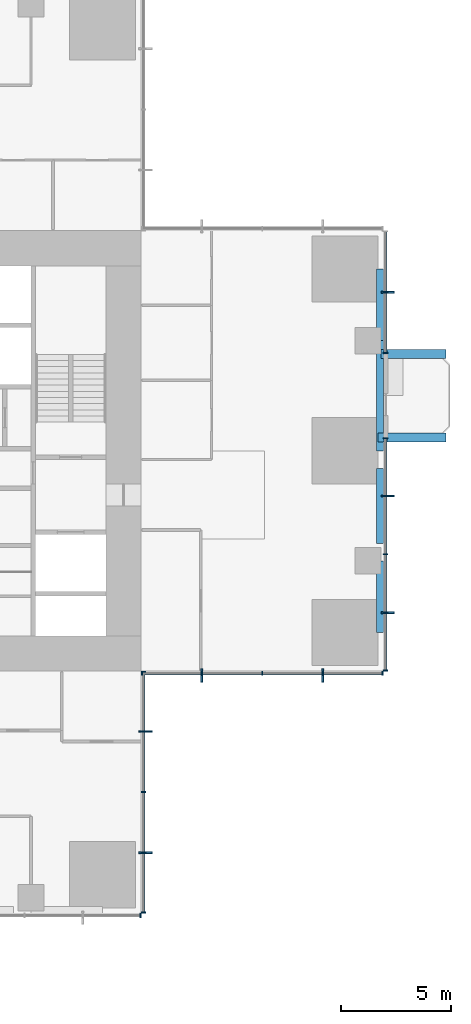
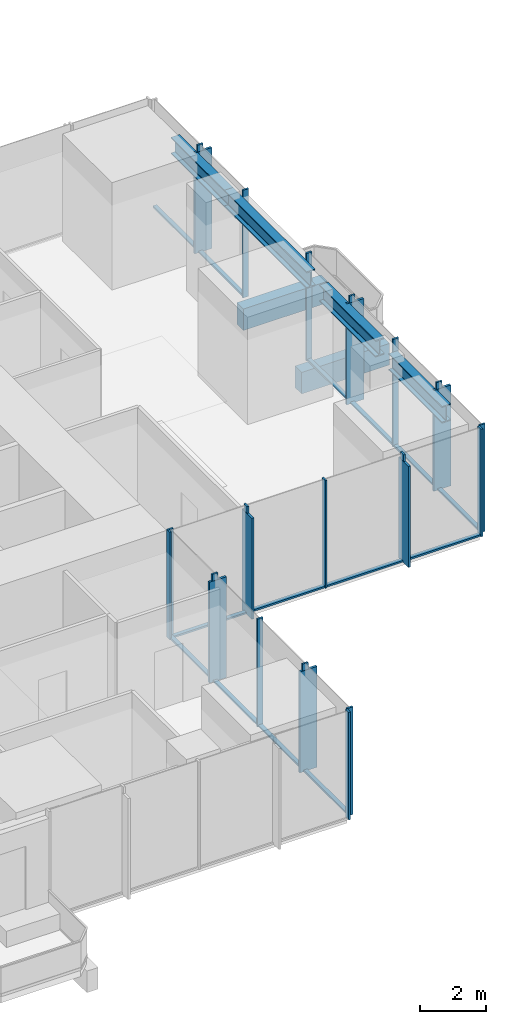
# One storey, part 4 of 13: 39 members, 6 beams, 5 elements without a shape of their own.
"""IFC4 building model written with IfcOpenShell, lengths in metres."""

from ifc_helpers import new_model, si_unit, direction, frame, origin, origin_2d, place, context, subcontext, project, spatial, rectangle, i_section, extrude, material, material_profile, profile_set, type_object, element, aggregate, save


model = new_model("IFC4")

# Units and contexts
model_context = context("Model", 3, precision=1e-05, world=origin(), true_north=direction((0.0, 1.0)))
body_context = subcontext(model_context, "Body", "Model", "MODEL_VIEW")
ifc_project = project(units=[si_unit("LENGTHUNIT", "METRE"), si_unit("AREAUNIT", "SQUARE_METRE"), si_unit("VOLUMEUNIT", "CUBIC_METRE"), si_unit("PLANEANGLEUNIT", "RADIAN"), si_unit("MASSUNIT", "GRAM", prefix="KILO")], contexts=[model_context])

# Site, building, storey
site_placement = place(None, origin())
site = spatial("IfcSite", under=ifc_project, at=site_placement, CompositionType="ELEMENT")
building_placement = place(site_placement, origin())
building = spatial("IfcBuilding", under=site, at=building_placement, Name="Svetlomir Tower", CompositionType="ELEMENT")
storey_placement = place(building_placement, frame((0.0, 0.0, 124.5)))
storey = spatial("IfcBuildingStorey", under=building, at=storey_placement, Name="L29", CompositionType="ELEMENT", Elevation=124.5)

# Beams
ifc_material_1 = material(Name="Concrete C60/75", Category="concrete")
ifc_material_profile_1 = material_profile(ifc_material_1, rectangle(XDim=0.39990234375, YDim=0.800048828125, at=origin_2d()), Name="RC 400x800")
ifc_profile_set_1 = profile_set([ifc_material_profile_1], Name="Concrete C60/75")
beam_type_1 = type_object("IfcBeamType", Name="BALCONY RIB RC 400x800", PredefinedType="BEAM", material=ifc_profile_set_1)
beam_1_placement = place(storey_placement, frame((41.75, 21.60009765625, -0.64990234375), z_axis=(1.0, 0.0, 0.0), x_axis=(0.0, 1.0, 0.0)))
element("IfcBeam", 1, at=beam_1_placement, inside=storey, type_object=beam_type_1, Name="Balcony rib E 1 L29", PredefinedType="BEAM", context=body_context, shape_type="SweptSolid", body=[
    extrude(rectangle(XDim=0.39990234375, YDim=0.800048828125, at=origin_2d()), origin(), (0.0, 0.0, 1.0), 3.10009765625),
])
beam_2_placement = place(storey_placement, frame((41.89990234375, 25.39990234375, -0.64990234375), z_axis=(1.0, 0.0, 0.0), x_axis=(0.0, 1.0, 0.0)))
element("IfcBeam", 2, at=beam_2_placement, inside=storey, type_object=beam_type_1, Name="Balcony rib E 2 L29", PredefinedType="BEAM", context=body_context, shape_type="SweptSolid", body=[
    extrude(rectangle(XDim=0.39990234375, YDim=0.800048828125, at=origin_2d()), origin(), (0.0, 0.0, 1.0), 2.9501953125),
])

# Curtain wall, members
ifc_material_2 = material(Name="Bronze anodised aluminium curtain wall", Category="aluminium")
curtain_wall_type = type_object("IfcCurtainWallType", Name="CURTAIN WALL CW1 TOWER OFFICE", PredefinedType="NOTDEFINED", material=ifc_material_2)
curtain_wall_1_placement = place(storey_placement, origin())
curtain_wall_1 = element("IfcCurtainWall", 3, at=curtain_wall_1_placement, inside=storey, type_object=curtain_wall_type, Name="Curtain wall CW1 L29", PredefinedType="NOTDEFINED")
ifc_material_3 = material(Name="Bronze anodised aluminium", Category="aluminium")
ifc_material_profile_2 = material_profile(ifc_material_3, rectangle(XDim=0.080078125, YDim=0.60009765625, at=origin_2d()), Name="FIN 80x600")
ifc_profile_set_2 = profile_set([ifc_material_profile_2], Name="Bronze anodised aluminium 6063-T6")
member_type_1 = type_object("IfcMemberType", Name="BRONZE FIN 80x600", PredefinedType="USERDEFINED", material=ifc_profile_set_2)
member_1_placement = place(storey_placement, frame((31.199951171875, 2.75, 0.0), z_axis=(0.0, 0.0, 1.0), x_axis=(0.0, 1.0, 0.0)))
member_1 = element("IfcMember", 4, at=member_1_placement, type_object=member_type_1, Name="Bronze fin L29", ObjectType="FIN", PredefinedType="USERDEFINED", context=body_context, shape_type="SweptSolid", body=[
    extrude(rectangle(XDim=0.080078125, YDim=0.60009765625, at=origin_2d()), origin(), (0.0, 0.0, 1.0), 3.75),
])
member_2_placement = place(storey_placement, frame((31.199951171875, 8.25, 0.0), z_axis=(0.0, 0.0, 1.0), x_axis=(0.0, 1.0, 0.0)))
member_2 = element("IfcMember", 5, at=member_2_placement, type_object=member_type_1, Name="Bronze fin L29", ObjectType="FIN", PredefinedType="USERDEFINED", context=body_context, shape_type="SweptSolid", body=[
    extrude(rectangle(XDim=0.080078125, YDim=0.60009765625, at=origin_2d()), origin(), (0.0, 0.0, 1.0), 3.75),
])

curtain_wall_2_placement = place(storey_placement, origin())
curtain_wall_2 = element("IfcCurtainWall", 6, at=curtain_wall_2_placement, inside=storey, type_object=curtain_wall_type, Name="Curtain wall CW1 L29", PredefinedType="NOTDEFINED")
member_3_placement = place(storey_placement, frame((33.75, 10.800048828125, 0.0), z_axis=(0.0, 0.0, 1.0), x_axis=(1.0, 0.0, 0.0)))
member_3 = element("IfcMember", 7, at=member_3_placement, type_object=member_type_1, Name="Bronze fin L29", ObjectType="FIN", PredefinedType="USERDEFINED", context=body_context, shape_type="SweptSolid", body=[
    extrude(rectangle(XDim=0.080078125, YDim=0.60009765625, at=origin_2d()), origin(), (0.0, 0.0, 1.0), 3.75),
])
member_4_placement = place(storey_placement, frame((39.25, 10.800048828125, 0.0), z_axis=(0.0, 0.0, 1.0), x_axis=(1.0, 0.0, 0.0)))
member_4 = element("IfcMember", 8, at=member_4_placement, type_object=member_type_1, Name="Bronze fin L29", ObjectType="FIN", PredefinedType="USERDEFINED", context=body_context, shape_type="SweptSolid", body=[
    extrude(rectangle(XDim=0.080078125, YDim=0.60009765625, at=origin_2d()), origin(), (0.0, 0.0, 1.0), 3.75),
])

curtain_wall_3_placement = place(storey_placement, origin())
curtain_wall_3 = element("IfcCurtainWall", 9, at=curtain_wall_3_placement, inside=storey, type_object=curtain_wall_type, Name="Curtain wall CW1 L29", PredefinedType="NOTDEFINED")
member_5_placement = place(storey_placement, frame((42.199951171875, 13.64990234375, 0.0), z_axis=(0.0, 0.0, 1.0), x_axis=(0.0, 1.0, 0.0)))
member_5 = element("IfcMember", 10, at=member_5_placement, type_object=member_type_1, Name="Bronze fin L29", ObjectType="FIN", PredefinedType="USERDEFINED", context=body_context, shape_type="SweptSolid", body=[
    extrude(rectangle(XDim=0.080078125, YDim=0.60009765625, at=origin_2d()), origin(), (0.0, 0.0, 1.0), 3.75),
])
member_6_placement = place(storey_placement, frame((42.199951171875, 18.949951171875, 0.0), z_axis=(0.0, 0.0, 1.0), x_axis=(0.0, 1.0, 0.0)))
member_6 = element("IfcMember", 11, at=member_6_placement, type_object=member_type_1, Name="Bronze fin L29", ObjectType="FIN", PredefinedType="USERDEFINED", context=body_context, shape_type="SweptSolid", body=[
    extrude(rectangle(XDim=0.080078125, YDim=0.60009765625, at=origin_2d()), origin(), (0.0, 0.0, 1.0), 3.75),
])

# Curtain wall, member
curtain_wall_4_placement = place(storey_placement, origin())
curtain_wall_4 = element("IfcCurtainWall", 12, at=curtain_wall_4_placement, inside=storey, type_object=curtain_wall_type, Name="Curtain wall CW1 L29", PredefinedType="NOTDEFINED")
member_7_placement = place(storey_placement, frame((42.199951171875, 28.199951171875, 0.0), z_axis=(0.0, 0.0, 1.0), x_axis=(0.0, 1.0, 0.0)))
member_7 = element("IfcMember", 13, at=member_7_placement, type_object=member_type_1, Name="Bronze fin L29", ObjectType="FIN", PredefinedType="USERDEFINED", context=body_context, shape_type="SweptSolid", body=[
    extrude(rectangle(XDim=0.080078125, YDim=0.60009765625, at=origin_2d()), origin(), (0.0, 0.0, 1.0), 3.75),
])

curtain_wall_5_placement = place(storey_placement, origin())
curtain_wall_5 = element("IfcCurtainWall", 14, at=curtain_wall_5_placement, inside=storey, type_object=curtain_wall_type, Name="Curtain wall CW1 L29", PredefinedType="NOTDEFINED")
ifc_material_4 = material(Name="Bronze anodised aluminium", Category="aluminium")
ifc_material_profile_3 = material_profile(ifc_material_4, rectangle(XDim=0.06494140625, YDim=0.199951171875, at=origin_2d()), Name="AL 65x200")
ifc_profile_set_3 = profile_set([ifc_material_profile_3], Name="Bronze anodised aluminium 6063-T6")
member_type_2 = type_object("IfcMemberType", Name="CW1 MULLION 65x200", PredefinedType="MULLION", material=ifc_profile_set_3)
member_8_placement = place(storey_placement, frame((30.967529296875, -0.10009765625, 0.0), z_axis=(0.0, 0.0, 1.0), x_axis=(1.0, 0.0, 0.0)))
member_8 = element("IfcMember", 15, at=member_8_placement, type_object=member_type_2, Name="CW1 mullion 5", PredefinedType="MULLION", context=body_context, shape_type="SweptSolid", body=[
    extrude(rectangle(XDim=0.06494140625, YDim=0.199951171875, at=origin_2d()), origin(), (0.0, 0.0, 1.0), 4.0),
])
aggregate(curtain_wall_5, [member_8])

# Member
member_9_placement = place(storey_placement, frame((31.10009765625, 0.032470703125, 0.0), z_axis=(0.0, 0.0, 1.0), x_axis=(0.0, 1.0, 0.0)))
member_9 = element("IfcMember", 16, at=member_9_placement, type_object=member_type_2, Name="CW1 mullion 1", PredefinedType="MULLION", context=body_context, shape_type="SweptSolid", body=[
    extrude(rectangle(XDim=0.06494140625, YDim=0.199951171875, at=origin_2d()), origin(), (0.0, 0.0, 1.0), 4.0),
])

member_10_placement = place(storey_placement, frame((31.10009765625, 2.75, 0.0), z_axis=(0.0, 0.0, 1.0), x_axis=(0.0, 1.0, 0.0)))
member_10 = element("IfcMember", 17, at=member_10_placement, type_object=member_type_2, Name="CW1 mullion 2", PredefinedType="MULLION", context=body_context, shape_type="SweptSolid", body=[
    extrude(rectangle(XDim=0.06494140625, YDim=0.199951171875, at=origin_2d()), origin(), (0.0, 0.0, 1.0), 4.0),
])

member_11_placement = place(storey_placement, frame((31.10009765625, 5.5, 0.0), z_axis=(0.0, 0.0, 1.0), x_axis=(0.0, 1.0, 0.0)))
member_11 = element("IfcMember", 18, at=member_11_placement, type_object=member_type_2, Name="CW1 mullion 3", PredefinedType="MULLION", context=body_context, shape_type="SweptSolid", body=[
    extrude(rectangle(XDim=0.06494140625, YDim=0.199951171875, at=origin_2d()), origin(), (0.0, 0.0, 1.0), 4.0),
])

member_12_placement = place(storey_placement, frame((31.10009765625, 8.25, 0.0), z_axis=(0.0, 0.0, 1.0), x_axis=(0.0, 1.0, 0.0)))
member_12 = element("IfcMember", 19, at=member_12_placement, type_object=member_type_2, Name="CW1 mullion 4", PredefinedType="MULLION", context=body_context, shape_type="SweptSolid", body=[
    extrude(rectangle(XDim=0.06494140625, YDim=0.199951171875, at=origin_2d()), origin(), (0.0, 0.0, 1.0), 4.0),
])

member_13_placement = place(storey_placement, frame((31.10009765625, 10.967529296875, 0.0), z_axis=(0.0, 0.0, 1.0), x_axis=(0.0, 1.0, 0.0)))
member_13 = element("IfcMember", 20, at=member_13_placement, type_object=member_type_2, Name="CW1 mullion 5", PredefinedType="MULLION", context=body_context, shape_type="SweptSolid", body=[
    extrude(rectangle(XDim=0.06494140625, YDim=0.199951171875, at=origin_2d()), origin(), (0.0, 0.0, 1.0), 4.0),
])

member_14_placement = place(storey_placement, frame((31.032470703125, 10.89990234375, 0.0), z_axis=(0.0, 0.0, 1.0), x_axis=(1.0, 0.0, 0.0)))
member_14 = element("IfcMember", 21, at=member_14_placement, type_object=member_type_2, Name="CW1 mullion 1", PredefinedType="MULLION", context=body_context, shape_type="SweptSolid", body=[
    extrude(rectangle(XDim=0.06494140625, YDim=0.199951171875, at=origin_2d()), origin(), (0.0, 0.0, 1.0), 4.0),
])

member_15_placement = place(storey_placement, frame((33.75, 10.89990234375, 0.0), z_axis=(0.0, 0.0, 1.0), x_axis=(1.0, 0.0, 0.0)))
member_15 = element("IfcMember", 22, at=member_15_placement, type_object=member_type_2, Name="CW1 mullion 2", PredefinedType="MULLION", context=body_context, shape_type="SweptSolid", body=[
    extrude(rectangle(XDim=0.06494140625, YDim=0.199951171875, at=origin_2d()), origin(), (0.0, 0.0, 1.0), 4.0),
])

member_16_placement = place(storey_placement, frame((36.5, 10.89990234375, 0.0), z_axis=(0.0, 0.0, 1.0), x_axis=(1.0, 0.0, 0.0)))
member_16 = element("IfcMember", 23, at=member_16_placement, type_object=member_type_2, Name="CW1 mullion 3", PredefinedType="MULLION", context=body_context, shape_type="SweptSolid", body=[
    extrude(rectangle(XDim=0.06494140625, YDim=0.199951171875, at=origin_2d()), origin(), (0.0, 0.0, 1.0), 4.0),
])

member_17_placement = place(storey_placement, frame((39.25, 10.89990234375, 0.0), z_axis=(0.0, 0.0, 1.0), x_axis=(1.0, 0.0, 0.0)))
member_17 = element("IfcMember", 24, at=member_17_placement, type_object=member_type_2, Name="CW1 mullion 4", PredefinedType="MULLION", context=body_context, shape_type="SweptSolid", body=[
    extrude(rectangle(XDim=0.06494140625, YDim=0.199951171875, at=origin_2d()), origin(), (0.0, 0.0, 1.0), 4.0),
])

member_18_placement = place(storey_placement, frame((41.967529296875, 10.89990234375, 0.0), z_axis=(0.0, 0.0, 1.0), x_axis=(1.0, 0.0, 0.0)))
member_18 = element("IfcMember", 25, at=member_18_placement, type_object=member_type_2, Name="CW1 mullion 5", PredefinedType="MULLION", context=body_context, shape_type="SweptSolid", body=[
    extrude(rectangle(XDim=0.06494140625, YDim=0.199951171875, at=origin_2d()), origin(), (0.0, 0.0, 1.0), 4.0),
])

member_19_placement = place(storey_placement, frame((42.10009765625, 11.032470703125, 0.0), z_axis=(0.0, 0.0, 1.0), x_axis=(0.0, 1.0, 0.0)))
member_19 = element("IfcMember", 26, at=member_19_placement, type_object=member_type_2, Name="CW1 mullion 1", PredefinedType="MULLION", context=body_context, shape_type="SweptSolid", body=[
    extrude(rectangle(XDim=0.06494140625, YDim=0.199951171875, at=origin_2d()), origin(), (0.0, 0.0, 1.0), 4.0),
])

member_20_placement = place(storey_placement, frame((42.10009765625, 13.64990234375, 0.0), z_axis=(0.0, 0.0, 1.0), x_axis=(0.0, 1.0, 0.0)))
member_20 = element("IfcMember", 27, at=member_20_placement, type_object=member_type_2, Name="CW1 mullion 2", PredefinedType="MULLION", context=body_context, shape_type="SweptSolid", body=[
    extrude(rectangle(XDim=0.06494140625, YDim=0.199951171875, at=origin_2d()), origin(), (0.0, 0.0, 1.0), 4.0),
])

member_21_placement = place(storey_placement, frame((42.10009765625, 16.300048828125, 0.0), z_axis=(0.0, 0.0, 1.0), x_axis=(0.0, 1.0, 0.0)))
member_21 = element("IfcMember", 28, at=member_21_placement, type_object=member_type_2, Name="CW1 mullion 3", PredefinedType="MULLION", context=body_context, shape_type="SweptSolid", body=[
    extrude(rectangle(XDim=0.06494140625, YDim=0.199951171875, at=origin_2d()), origin(), (0.0, 0.0, 1.0), 4.0),
])

member_22_placement = place(storey_placement, frame((42.10009765625, 18.949951171875, 0.0), z_axis=(0.0, 0.0, 1.0), x_axis=(0.0, 1.0, 0.0)))
member_22 = element("IfcMember", 29, at=member_22_placement, type_object=member_type_2, Name="CW1 mullion 4", PredefinedType="MULLION", context=body_context, shape_type="SweptSolid", body=[
    extrude(rectangle(XDim=0.06494140625, YDim=0.199951171875, at=origin_2d()), origin(), (0.0, 0.0, 1.0), 4.0),
])

member_23_placement = place(storey_placement, frame((42.10009765625, 21.5673828125, 0.0), z_axis=(0.0, 0.0, 1.0), x_axis=(0.0, 1.0, 0.0)))
member_23 = element("IfcMember", 30, at=member_23_placement, type_object=member_type_2, Name="CW1 mullion 5", PredefinedType="MULLION", context=body_context, shape_type="SweptSolid", body=[
    extrude(rectangle(XDim=0.06494140625, YDim=0.199951171875, at=origin_2d()), origin(), (0.0, 0.0, 1.0), 4.0),
])

member_24_placement = place(storey_placement, frame((42.10009765625, 25.4326171875, 0.0), z_axis=(0.0, 0.0, 1.0), x_axis=(0.0, 1.0, 0.0)))
member_24 = element("IfcMember", 31, at=member_24_placement, type_object=member_type_2, Name="CW1 mullion 1", PredefinedType="MULLION", context=body_context, shape_type="SweptSolid", body=[
    extrude(rectangle(XDim=0.06494140625, YDim=0.199951171875, at=origin_2d()), origin(), (0.0, 0.0, 1.0), 4.0),
])

member_25_placement = place(storey_placement, frame((42.10009765625, 28.199951171875, 0.0), z_axis=(0.0, 0.0, 1.0), x_axis=(0.0, 1.0, 0.0)))
member_25 = element("IfcMember", 32, at=member_25_placement, type_object=member_type_2, Name="CW1 mullion 2", PredefinedType="MULLION", context=body_context, shape_type="SweptSolid", body=[
    extrude(rectangle(XDim=0.06494140625, YDim=0.199951171875, at=origin_2d()), origin(), (0.0, 0.0, 1.0), 4.0),
])

ifc_material_5 = material(Name="Bronze anodised aluminium", Category="aluminium")
ifc_material_profile_4 = material_profile(ifc_material_5, rectangle(XDim=0.139892578125, YDim=0.06494140625, at=origin_2d()), Name="AL 140x65")
ifc_profile_set_4 = profile_set([ifc_material_profile_4], Name="Bronze anodised aluminium 6063-T6")
member_type_3 = type_object("IfcMemberType", Name="CW1 TRANSOM 65x140", PredefinedType="USERDEFINED", material=ifc_profile_set_4)
member_26_placement = place(storey_placement, frame((31.10009765625, 0.06494140625, 0.032470703125), z_axis=(0.0, 1.0, 0.0), x_axis=(-1.0, 0.0, 0.0)))
member_26 = element("IfcMember", 33, at=member_26_placement, type_object=member_type_3, Name="CW1 transom 1.1", ObjectType="TRANSOM", PredefinedType="USERDEFINED", context=body_context, shape_type="SweptSolid", body=[
    extrude(rectangle(XDim=0.139892578125, YDim=0.06494140625, at=origin_2d()), origin(), (0.0, 0.0, 1.0), 2.652587890625),
])

member_27_placement = place(storey_placement, frame((31.10009765625, 2.782470703125, 0.032470703125), z_axis=(0.0, 1.0, 0.0), x_axis=(-1.0, 0.0, 0.0)))
member_27 = element("IfcMember", 34, at=member_27_placement, type_object=member_type_3, Name="CW1 transom 2.1", ObjectType="TRANSOM", PredefinedType="USERDEFINED", context=body_context, shape_type="SweptSolid", body=[
    extrude(rectangle(XDim=0.139892578125, YDim=0.06494140625, at=origin_2d()), origin(), (0.0, 0.0, 1.0), 2.68505859375),
])

member_28_placement = place(storey_placement, frame((31.10009765625, 5.532470703125, 0.032470703125), z_axis=(0.0, 1.0, 0.0), x_axis=(-1.0, 0.0, 0.0)))
member_28 = element("IfcMember", 35, at=member_28_placement, type_object=member_type_3, Name="CW1 transom 3.1", ObjectType="TRANSOM", PredefinedType="USERDEFINED", context=body_context, shape_type="SweptSolid", body=[
    extrude(rectangle(XDim=0.139892578125, YDim=0.06494140625, at=origin_2d()), origin(), (0.0, 0.0, 1.0), 2.68505859375),
])

member_29_placement = place(storey_placement, frame((31.10009765625, 8.282470703125, 0.032470703125), z_axis=(0.0, 1.0, 0.0), x_axis=(-1.0, 0.0, 0.0)))
member_29 = element("IfcMember", 36, at=member_29_placement, type_object=member_type_3, Name="CW1 transom 4.1", ObjectType="TRANSOM", PredefinedType="USERDEFINED", context=body_context, shape_type="SweptSolid", body=[
    extrude(rectangle(XDim=0.139892578125, YDim=0.06494140625, at=origin_2d()), origin(), (0.0, 0.0, 1.0), 2.652587890625),
])

aggregate(curtain_wall_1, [member_9, member_10, member_11, member_12, member_13, member_26, member_27, member_28, member_29, member_1, member_2])

member_30_placement = place(storey_placement, frame((31.06494140625, 10.89990234375, 0.032470703125), z_axis=(1.0, 0.0, 0.0), x_axis=(0.0, 1.0, 0.0)))
member_30 = element("IfcMember", 37, at=member_30_placement, type_object=member_type_3, Name="CW1 transom 1.1", ObjectType="TRANSOM", PredefinedType="USERDEFINED", context=body_context, shape_type="SweptSolid", body=[
    extrude(rectangle(XDim=0.139892578125, YDim=0.06494140625, at=origin_2d()), origin(), (0.0, 0.0, 1.0), 2.652587890625),
])

member_31_placement = place(storey_placement, frame((33.782470703125, 10.89990234375, 0.032470703125), z_axis=(1.0, 0.0, 0.0), x_axis=(0.0, 1.0, 0.0)))
member_31 = element("IfcMember", 38, at=member_31_placement, type_object=member_type_3, Name="CW1 transom 2.1", ObjectType="TRANSOM", PredefinedType="USERDEFINED", context=body_context, shape_type="SweptSolid", body=[
    extrude(rectangle(XDim=0.139892578125, YDim=0.06494140625, at=origin_2d()), origin(), (0.0, 0.0, 1.0), 2.68505859375),
])

member_32_placement = place(storey_placement, frame((36.532470703125, 10.89990234375, 0.032470703125), z_axis=(1.0, 0.0, 0.0), x_axis=(0.0, 1.0, 0.0)))
member_32 = element("IfcMember", 39, at=member_32_placement, type_object=member_type_3, Name="CW1 transom 3.1", ObjectType="TRANSOM", PredefinedType="USERDEFINED", context=body_context, shape_type="SweptSolid", body=[
    extrude(rectangle(XDim=0.139892578125, YDim=0.06494140625, at=origin_2d()), origin(), (0.0, 0.0, 1.0), 2.68505859375),
])

member_33_placement = place(storey_placement, frame((39.282470703125, 10.89990234375, 0.032470703125), z_axis=(1.0, 0.0, 0.0), x_axis=(0.0, 1.0, 0.0)))
member_33 = element("IfcMember", 40, at=member_33_placement, type_object=member_type_3, Name="CW1 transom 4.1", ObjectType="TRANSOM", PredefinedType="USERDEFINED", context=body_context, shape_type="SweptSolid", body=[
    extrude(rectangle(XDim=0.139892578125, YDim=0.06494140625, at=origin_2d()), origin(), (0.0, 0.0, 1.0), 2.652587890625),
])

aggregate(curtain_wall_2, [member_14, member_15, member_16, member_17, member_18, member_30, member_31, member_32, member_33, member_3, member_4])

member_34_placement = place(storey_placement, frame((42.10009765625, 11.06494140625, 0.032470703125), z_axis=(0.0, 1.0, 0.0), x_axis=(-1.0, 0.0, 0.0)))
member_34 = element("IfcMember", 41, at=member_34_placement, type_object=member_type_3, Name="CW1 transom 1.1", ObjectType="TRANSOM", PredefinedType="USERDEFINED", context=body_context, shape_type="SweptSolid", body=[
    extrude(rectangle(XDim=0.139892578125, YDim=0.06494140625, at=origin_2d()), origin(), (0.0, 0.0, 1.0), 2.552490234375),
])

member_35_placement = place(storey_placement, frame((42.10009765625, 13.6826171875, 0.032470703125), z_axis=(0.0, 1.0, 0.0), x_axis=(-1.0, 0.0, 0.0)))
member_35 = element("IfcMember", 42, at=member_35_placement, type_object=member_type_3, Name="CW1 transom 2.1", ObjectType="TRANSOM", PredefinedType="USERDEFINED", context=body_context, shape_type="SweptSolid", body=[
    extrude(rectangle(XDim=0.139892578125, YDim=0.06494140625, at=origin_2d()), origin(), (0.0, 0.0, 1.0), 2.5849609375),
])

member_36_placement = place(storey_placement, frame((42.10009765625, 16.33251953125, 0.032470703125), z_axis=(0.0, 1.0, 0.0), x_axis=(-1.0, 0.0, 0.0)))
member_36 = element("IfcMember", 43, at=member_36_placement, type_object=member_type_3, Name="CW1 transom 3.1", ObjectType="TRANSOM", PredefinedType="USERDEFINED", context=body_context, shape_type="SweptSolid", body=[
    extrude(rectangle(XDim=0.139892578125, YDim=0.06494140625, at=origin_2d()), origin(), (0.0, 0.0, 1.0), 2.5849609375),
])

member_37_placement = place(storey_placement, frame((42.10009765625, 18.982421875, 0.032470703125), z_axis=(0.0, 1.0, 0.0), x_axis=(-1.0, 0.0, 0.0)))
member_37 = element("IfcMember", 44, at=member_37_placement, type_object=member_type_3, Name="CW1 transom 4.1", ObjectType="TRANSOM", PredefinedType="USERDEFINED", context=body_context, shape_type="SweptSolid", body=[
    extrude(rectangle(XDim=0.139892578125, YDim=0.06494140625, at=origin_2d()), origin(), (0.0, 0.0, 1.0), 2.552490234375),
])

aggregate(curtain_wall_3, [member_19, member_20, member_21, member_22, member_23, member_34, member_35, member_36, member_37, member_5, member_6])

member_38_placement = place(storey_placement, frame((42.10009765625, 25.465087890625, 0.032470703125), z_axis=(0.0, 1.0, 0.0), x_axis=(-1.0, 0.0, 0.0)))
member_38 = element("IfcMember", 45, at=member_38_placement, type_object=member_type_3, Name="CW1 transom 1.1", ObjectType="TRANSOM", PredefinedType="USERDEFINED", context=body_context, shape_type="SweptSolid", body=[
    extrude(rectangle(XDim=0.139892578125, YDim=0.06494140625, at=origin_2d()), origin(), (0.0, 0.0, 1.0), 2.702392578125),
])

member_39_placement = place(storey_placement, frame((42.10009765625, 28.232421875, 0.032470703125), z_axis=(0.0, 1.0, 0.0), x_axis=(-1.0, 0.0, 0.0)))
member_39 = element("IfcMember", 46, at=member_39_placement, type_object=member_type_3, Name="CW1 transom 2.1", ObjectType="TRANSOM", PredefinedType="USERDEFINED", context=body_context, shape_type="SweptSolid", body=[
    extrude(rectangle(XDim=0.139892578125, YDim=0.06494140625, at=origin_2d()), origin(), (0.0, 0.0, 1.0), 2.70263671875),
])

aggregate(curtain_wall_4, [member_24, member_25, member_38, member_39, member_7])

# Beams
ifc_material_6 = material(Name="Steel S355", Category="steel")
ifc_material_profile_5 = material_profile(ifc_material_6, i_section(OverallWidth=0.304931640625, OverallDepth=0.6201171875, WebThickness=0.02099609375, FlangeThickness=0.0400390625, FilletRadius=0.027099609375, at=origin_2d()), Name="HEM 600")
ifc_profile_set_5 = profile_set([ifc_material_profile_5], Name="Steel S355")
beam_type_2 = type_object("IfcBeamType", Name="EDGE BEAM HEM 600", PredefinedType="SPANDREL", material=ifc_profile_set_5)
beam_3_placement = place(storey_placement, frame((41.847412109375, 12.75, 3.43994140625), z_axis=(0.0, 1.0, 0.0), x_axis=(-1.0, 0.0, 0.0)))
element("IfcBeam", 47, at=beam_3_placement, inside=storey, type_object=beam_type_2, Name="Edge beam 42/11 to 42/16 under L30", PredefinedType="SPANDREL", context=body_context, shape_type="SweptSolid", body=[
    extrude(i_section(OverallWidth=0.304931640625, OverallDepth=0.6201171875, WebThickness=0.02099609375, FlangeThickness=0.0400390625, FilletRadius=0.027099609375, at=origin_2d()), origin(), (0.0, 0.0, 1.0), 3.25),
])
beam_4_placement = place(storey_placement, frame((41.847412109375, 16.800048828125, 3.43994140625), z_axis=(0.0, 1.0, 0.0), x_axis=(-1.0, 0.0, 0.0)))
element("IfcBeam", 48, at=beam_4_placement, inside=storey, type_object=beam_type_2, Name="Edge beam 42/16 to 42/21 under L30", PredefinedType="SPANDREL", context=body_context, shape_type="SweptSolid", body=[
    extrude(i_section(OverallWidth=0.304931640625, OverallDepth=0.6201171875, WebThickness=0.02099609375, FlangeThickness=0.0400390625, FilletRadius=0.027099609375, at=origin_2d()), origin(), (0.0, 0.0, 1.0), 3.39990234375),
])
beam_5_placement = place(storey_placement, frame((41.847412109375, 21.0, 3.43994140625), z_axis=(0.0, 1.0, 0.0), x_axis=(-1.0, 0.0, 0.0)))
element("IfcBeam", 49, at=beam_5_placement, inside=storey, type_object=beam_type_2, Name="Edge beam 42/21 to 42/26 under L30", PredefinedType="SPANDREL", context=body_context, shape_type="SweptSolid", body=[
    extrude(i_section(OverallWidth=0.304931640625, OverallDepth=0.6201171875, WebThickness=0.02099609375, FlangeThickness=0.0400390625, FilletRadius=0.027099609375, at=origin_2d()), origin(), (0.0, 0.0, 1.0), 5.0),
])
beam_6_placement = place(storey_placement, frame((41.847412109375, 26.0, 3.43994140625), z_axis=(0.0, 1.0, 0.0), x_axis=(-1.0, 0.0, 0.0)))
element("IfcBeam", 50, at=beam_6_placement, inside=storey, type_object=beam_type_2, Name="Edge beam 42/26 to 42/31 under L30", PredefinedType="SPANDREL", context=body_context, shape_type="SweptSolid", body=[
    extrude(i_section(OverallWidth=0.304931640625, OverallDepth=0.6201171875, WebThickness=0.02099609375, FlangeThickness=0.0400390625, FilletRadius=0.027099609375, at=origin_2d()), origin(), (0.0, 0.0, 1.0), 3.25),
])

save(model, "model.ifc")
